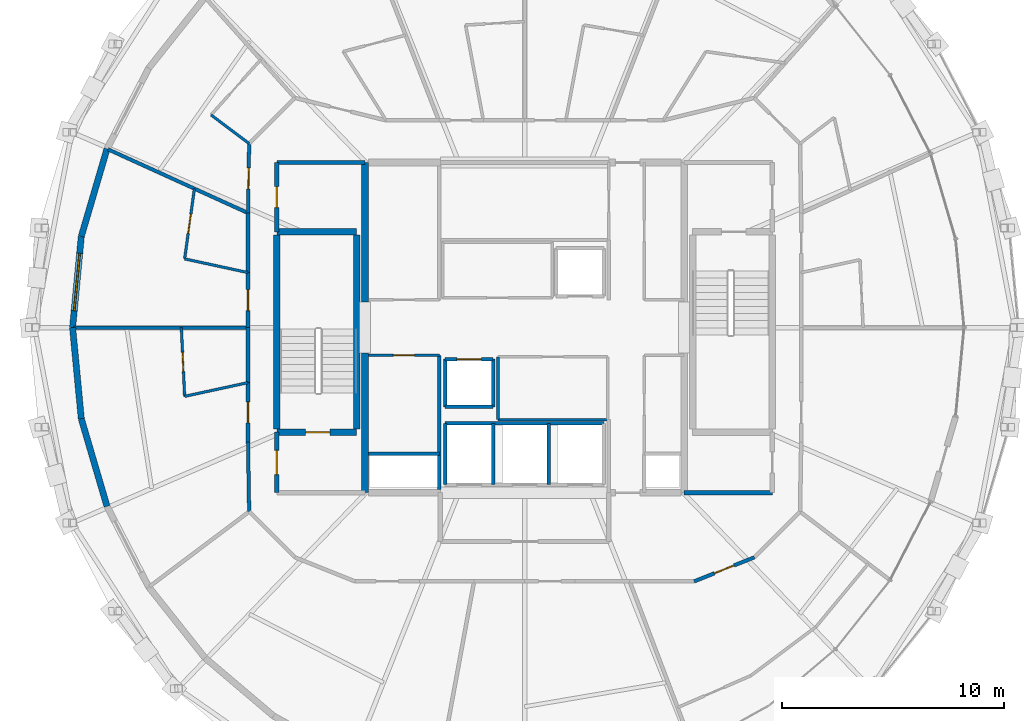
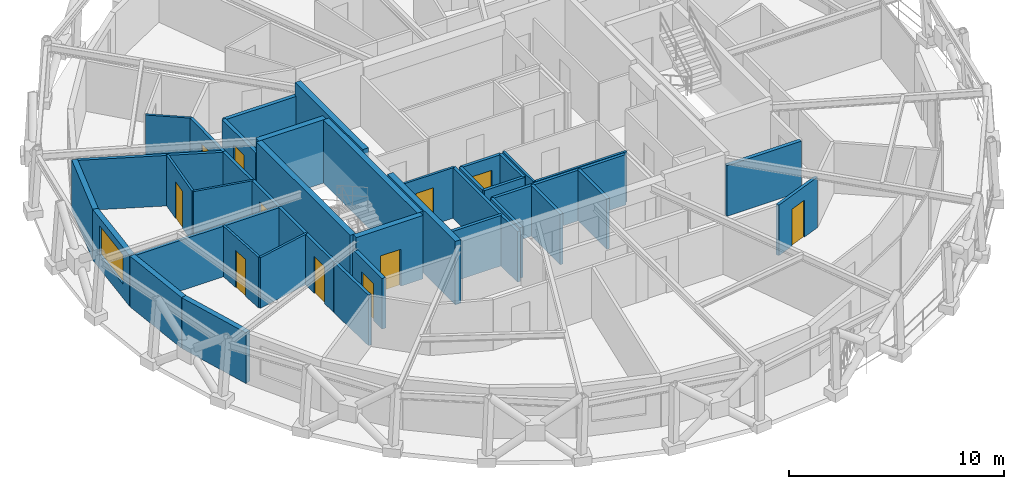
# One storey, part 11 of 15: 41 walls, 11 doors, 1 window, 12 openings.
"""IFC4 building model written with IfcOpenShell, lengths in metres."""

import ifcopenshell
import ifcopenshell.guid

model = None  # the IFC model being written
_history = None  # IfcOwnerHistory: only IFC2X3 demands one
_inside = {}  # id of a spatial element -> (the spatial element, [elements in it])
_under = {}  # id of a project, library or spatial element -> (it, [spatial elements below it])
_declared = {}  # id of a project -> (the project, [libraries it declares])
_typed = {}  # id of a type object -> (the type object, [elements of that type])
_made_of = {}  # id of a material, layer set ... -> (it, [elements and type objects made of it])


def new_model(schema):
    """Start an empty IFC model of exactly this schema.

    Asked for "IFC4X3", IfcOpenShell would pick the latest addendum, in which some entities
    have other attributes; the version numbers below select the first issue.
    IFC2X3 requires an IfcOwnerHistory on every rooted entity: one is made here for all.
    """
    global model, _history
    if schema == "IFC4X3":
        model = ifcopenshell.file(schema_version=(4, 3, 0, 0))
    else:
        model = ifcopenshell.file(schema=schema)
    _inside.clear()
    _under.clear()
    _declared.clear()
    _typed.clear()
    _made_of.clear()
    _history = None
    if model.schema == "IFC2X3":
        org = make("IfcOrganization", Name="unknown")
        user = make(
            "IfcPersonAndOrganization",
            ThePerson=make("IfcPerson", FamilyName="unknown"),
            TheOrganization=org,
        )
        app = make(
            "IfcApplication",
            ApplicationDeveloper=org,
            Version="unknown",
            ApplicationFullName="unknown",
            ApplicationIdentifier="unknown",
        )
        _history = make(
            "IfcOwnerHistory",
            OwningUser=user,
            OwningApplication=app,
            ChangeAction="ADDED",
            CreationDate=0,
        )
    return model


def make(cls, **values):
    """One entity of the class cls with the attributes given. An attribute that is None is left unset."""
    return model.create_entity(
        cls, **{name: value for name, value in values.items() if value is not None}
    )


def rooted(cls, **values):
    """An entity with a GlobalId (a new one), such as an element, a storey or a relation."""
    return make(cls, GlobalId=ifcopenshell.guid.new(), OwnerHistory=_history, **values)


def si_unit(unit_type, name, prefix=None):
    """IfcSIUnit, for example si_unit("LENGTHUNIT", "METRE", prefix="MILLI")."""
    return make("IfcSIUnit", UnitType=unit_type, Prefix=prefix, Name=name)


def assignment(units):
    """IfcUnitAssignment: the units of a project."""
    return None if units is None else make("IfcUnitAssignment", Units=units)


def point(xyz):
    """IfcCartesianPoint."""
    return None if xyz is None else make("IfcCartesianPoint", Coordinates=xyz)


def direction(xyz):
    """IfcDirection."""
    return None if xyz is None else make("IfcDirection", DirectionRatios=xyz)


def frame(location, z_axis=None, x_axis=None):
    """IfcAxis2Placement3D, a coordinate frame: its origin and axes. An axis left out is left unset."""
    return make(
        "IfcAxis2Placement3D",
        Location=point(location),
        Axis=direction(z_axis),
        RefDirection=direction(x_axis),
    )


def frame_2d(location, x_axis=None):
    """IfcAxis2Placement2D, a coordinate frame in the plane: its origin and x axis."""
    return make(
        "IfcAxis2Placement2D", Location=point(location), RefDirection=direction(x_axis)
    )


def origin():
    """The frame at (0, 0, 0) with its axes left unset."""
    return frame((0.0, 0.0, 0.0))


def place(relative_to, where):
    """IfcLocalPlacement: puts the frame where relative to a parent placement (None: the world)."""
    return make(
        "IfcLocalPlacement", PlacementRelTo=relative_to, RelativePlacement=where
    )


def context(
    kind, dimensions, precision=None, world=None, true_north=None, identifier=None
):
    """IfcGeometricRepresentationContext, for example the 3D "Model" context."""
    return make(
        "IfcGeometricRepresentationContext",
        ContextIdentifier=identifier,
        ContextType=kind,
        CoordinateSpaceDimension=dimensions,
        Precision=precision,
        WorldCoordinateSystem=world,
        TrueNorth=true_north,
    )


def subcontext(parent, identifier, kind, view, scale=None):
    """IfcGeometricRepresentationSubContext, for example "Body" below "Model"."""
    return make(
        "IfcGeometricRepresentationSubContext",
        ContextIdentifier=identifier,
        ContextType=kind,
        ParentContext=parent,
        TargetScale=scale,
        TargetView=view,
    )


def project(units=None, contexts=None):
    """IfcProject with its units and contexts."""
    return rooted(
        "IfcProject",
        Name="project",
        RepresentationContexts=contexts,
        UnitsInContext=assignment(units),
    )


def spatial(cls, under=None, at=None, **own):
    """A site, building, storey or space (cls), placed at a placement, below another one or the project."""
    s = rooted(cls, ObjectPlacement=at, **own)
    if under is not None:
        _under.setdefault(under.id(), (under, []))[1].append(s)
    return s


def profile(cls, at=None, kind="AREA", **sizes):
    """A parametric profile (cls). Its sizes go by their IFC names, for example OverallWidth=200.0."""
    return make(cls, ProfileType=kind, Position=at, **sizes)


def rectangle(**sizes):
    """IfcRectangleProfileDef."""
    return profile("IfcRectangleProfileDef", **sizes)


def extrude(swept, where, along, depth):
    """IfcExtrudedAreaSolid: the profile swept, set in the frame where, extruded along a direction by depth."""
    return make(
        "IfcExtrudedAreaSolid",
        SweptArea=swept,
        Position=where,
        ExtrudedDirection=direction(along),
        Depth=depth,
    )


def shape(context_of_items, identifier, shape_type, items):
    """IfcShapeRepresentation: the items that make up one representation, for example the "Body"."""
    return make(
        "IfcShapeRepresentation",
        ContextOfItems=context_of_items,
        RepresentationIdentifier=identifier,
        RepresentationType=shape_type,
        Items=items,
    )


def material(Name=None, Category=None):
    """IfcMaterial."""
    return make("IfcMaterial", Name=Name, Category=Category)


def layer(
    of_material, thickness, ventilated=None, Name=None, Category=None, Priority=None
):
    """IfcMaterialLayer: one layer of a wall or slab, of a material (None: an air gap)."""
    return make(
        "IfcMaterialLayer",
        Material=of_material,
        LayerThickness=thickness,
        IsVentilated=ventilated,
        Name=Name,
        Category=Category,
        Priority=Priority,
    )


def layer_set(layers, Name=None):
    """IfcMaterialLayerSet."""
    return make("IfcMaterialLayerSet", MaterialLayers=layers, LayerSetName=Name)


def made_of(thing, what):
    """Note that an element or type object is made of a material, layer set ...; save() writes the relation."""
    if what is not None:
        _made_of.setdefault(what.id(), (what, []))[1].append(thing)
    return thing


def type_object(cls, material=None, **own):
    """A type object (cls), such as IfcWallType, which elements share."""
    return made_of(rooted(cls, **own), material)


def element(
    cls,
    number,
    at=None,
    inside=None,
    cuts=None,
    type_object=None,
    material=None,
    context=None,
    identifier="Body",
    shape_type=None,
    held_by="IfcProductDefinitionShape",
    body=None,
    shapes=None,
    **own,
):
    """One element of the class cls, such as IfcWall. Its Tag is "e" and its number.

    at: its placement. inside: the storey or other place that contains it. cuts: it is an
    opening in that element (IfcRelVoidsElement). A single representation is given by context,
    identifier, shape_type and body (its items); several are given by shapes. held_by: the class
    of the entity that holds the representations. save() writes the other relations.
    """
    e = rooted(cls, Tag="e%d" % number, ObjectPlacement=at, **own)
    if body is not None:
        shapes = [shape(context, identifier, shape_type, body)]
    if shapes is not None:
        e.Representation = make(held_by, Representations=shapes)
    if inside is not None:
        _inside.setdefault(inside.id(), (inside, []))[1].append(e)
    if cuts is not None:
        rooted(
            "IfcRelVoidsElement", RelatingBuildingElement=cuts, RelatedOpeningElement=e
        )
    if type_object is not None:
        _typed.setdefault(type_object.id(), (type_object, []))[1].append(e)
    return made_of(e, material)


def fill(opening, filler):
    """IfcRelFillsElement: the door or window that sits in an opening."""
    return rooted(
        "IfcRelFillsElement",
        RelatingOpeningElement=opening,
        RelatedBuildingElement=filler,
    )


def aggregate(whole, parts):
    """IfcRelAggregates: a whole, such as a stair, and the parts it consists of."""
    return rooted("IfcRelAggregates", RelatingObject=whole, RelatedObjects=parts)


def save(model, path):
    """Write the relations noted so far, then the file.

    IfcRelAggregates (storeys below a building ...), IfcRelContainedInSpatialStructure (elements
    in a storey), IfcRelDefinesByType, IfcRelAssociatesMaterial and IfcRelDeclares: one each for
    every whole, place, type object, material and project.
    """
    for whole, parts in _under.values():
        aggregate(whole, parts)
    for where, things in _inside.values():
        rooted(
            "IfcRelContainedInSpatialStructure",
            RelatedElements=things,
            RelatingStructure=where,
        )
    for kind, things in _typed.values():
        rooted("IfcRelDefinesByType", RelatedObjects=things, RelatingType=kind)
    for what, things in _made_of.values():
        rooted("IfcRelAssociatesMaterial", RelatedObjects=things, RelatingMaterial=what)
    for by, libraries in _declared.values():
        rooted("IfcRelDeclares", RelatingContext=by, RelatedDefinitions=libraries)
    model.write(path)


model = new_model("IFC4")

# Units and contexts
model_context = context("Model", 3, precision=1e-05, world=origin(), true_north=direction((0.0, 1.0)))
body_context = subcontext(model_context, "Body", "Model", "MODEL_VIEW")
ifc_project = project(units=[si_unit("LENGTHUNIT", "METRE"), si_unit("AREAUNIT", "SQUARE_METRE"), si_unit("VOLUMEUNIT", "CUBIC_METRE"), si_unit("PLANEANGLEUNIT", "RADIAN"), si_unit("MASSUNIT", "GRAM", prefix="KILO")], contexts=[model_context])

# Site, building, storey
site_placement = place(None, origin())
site = spatial("IfcSite", under=ifc_project, at=site_placement, CompositionType="ELEMENT")
building_placement = place(site_placement, origin())
building = spatial("IfcBuilding", under=site, at=building_placement, Name="Veldorina Hangang Commons", CompositionType="ELEMENT")
storey_placement = place(building_placement, frame((0.0, 0.0, 258.0)))
storey = spatial("IfcBuildingStorey", under=building, at=storey_placement, Name="L67", CompositionType="ELEMENT", Elevation=258.0)

# Walls
ifc_material_1 = material(Name="Concrete C50/60", Category="concrete")
ifc_layer_1 = layer(ifc_material_1, 0.300048828125)
ifc_layer_set_1 = layer_set([ifc_layer_1], Name="Concrete C50/60")
wall_type_1 = type_object("IfcWallType", Name="CW-RC300-C50", PredefinedType="SHEAR", material=ifc_layer_set_1)
for number, where, z_axis, x_axis, name in (
    (1, (24.800048828125, 16.550048828125, 0.0), (0.0, 0.0, 1.0), (0.0, 1.0, 0.0), "L67 W south core shear wall"),
    (2, (24.800048828125, 25.14990234375, 0.0), (0.0, 0.0, 1.0), (0.0, 1.0, 0.0), "L67 W north core shear wall"),
):
    element("IfcWall", number, at=place(storey_placement, frame(where, z_axis=z_axis, x_axis=x_axis)), inside=storey, type_object=wall_type_1, Name=name, PredefinedType="SHEAR", context=body_context, shape_type="SweptSolid", body=[
        extrude(rectangle(XDim=6.300048828125, YDim=0.300048828125, at=frame_2d((3.14990234375, 0.0))), origin(), (0.0, 0.0, 1.0), 3.60009765625),
    ])
ifc_material_2 = material(Name="Stone Roman Travertine", Category="masonry")
ifc_layer_2 = layer(ifc_material_2, 0.280029296875)
ifc_layer_set_2 = layer_set([ifc_layer_2], Name="Stone Roman Travertine")
wall_type_2 = type_object("IfcWallType", Name="EW-TRAV-280", PredefinedType="STANDARD", material=ifc_layer_set_2)
wall_1_placement = place(storey_placement, frame((13.159423828125, 32.064453125, 0.0), z_axis=(0.0, 0.0, 1.0), x_axis=(-0.281640155417, -0.959520100288, 0.0)))
element("IfcWall", 3, at=wall_1_placement, inside=storey, type_object=wall_type_2, Name="L67 travertine facade wall 14", PredefinedType="STANDARD", context=body_context, shape_type="SweptSolid", body=[
    extrude(rectangle(XDim=4.1201171875, YDim=0.280029296875, at=frame_2d((2.06005859375, 0.0))), origin(), (0.0, 0.0, 1.0), 2.8798828125),
])

# Wall, opening, window
wall_2_placement = place(storey_placement, frame((11.9990234375, 28.111083984375, 0.0), z_axis=(0.0, 0.0, 1.0), x_axis=(-0.09488441801, -0.995488295872, 0.0)))
wall_2 = element("IfcWall", 4, at=wall_2_placement, inside=storey, type_object=wall_type_2, Name="L67 travertine facade wall 15", PredefinedType="STANDARD", context=body_context, shape_type="SweptSolid", body=[
    extrude(rectangle(XDim=4.129638671875, YDim=0.280029296875, at=frame_2d((2.06494140625, 0.0))), origin(), (0.0, 0.0, 1.0), 2.8798828125),
])
opening_1_placement = place(wall_2_placement, frame((0.764892578125, 0.0, 0.800048828125)))
opening_1 = element("IfcOpeningElement", 5, at=opening_1_placement, cuts=wall_2, Name="Opening W-02", PredefinedType="OPENING", context=body_context, shape_type="SweptSolid", body=[
    extrude(rectangle(XDim=2.60009765625, YDim=1.64990234375, at=frame_2d((1.300048828125, 0.824951171875))), frame((0.0, 0.14990234375, 0.0), z_axis=(0.0, -1.0, 0.0), x_axis=(1.0, 0.0, 0.0)), (0.0, 0.0, 1.0), 0.300048828125),
])
ifc_material_3 = material(Name="Glass Low-E Triple IGU", Category="glass")
window_type = type_object("IfcWindowType", Name="WIN-TWR-2600", PartitioningType="SINGLE_PANEL", PredefinedType="WINDOW", material=ifc_material_3)
window_placement = place(opening_1_placement, origin())
window = element("IfcWindow", 6, at=window_placement, inside=storey, type_object=window_type, Name="L67 facade window 15", OverallHeight=1.64990234375, OverallWidth=2.60009765625, PartitioningType="SINGLE_PANEL", PredefinedType="WINDOW", context=body_context, shape_type="SweptSolid", body=[
    extrude(rectangle(XDim=2.60009765625, YDim=1.64990234375, at=frame_2d((1.300048828125, 0.824951171875))), frame((0.0, 0.030029296875, 0.0), z_axis=(0.0, -1.0, 0.0), x_axis=(1.0, 0.0, 0.0)), (0.0, 0.0, 1.0), 0.06005859375),
])
fill(opening_1, window)

# Walls
wall_3_placement = place(storey_placement, frame((11.607177734375, 24.0, 0.0), z_axis=(0.0, 0.0, 1.0), x_axis=(0.09488441801, -0.995488295872, 0.0)))
element("IfcWall", 7, at=wall_3_placement, inside=storey, type_object=wall_type_2, Name="L67 travertine facade wall 16", PredefinedType="STANDARD", context=body_context, shape_type="SweptSolid", body=[
    extrude(rectangle(XDim=4.129638671875, YDim=0.280029296875, at=frame_2d((2.06494140625, 0.0))), origin(), (0.0, 0.0, 1.0), 2.8798828125),
])
wall_4_placement = place(storey_placement, frame((11.9990234375, 19.888916015625, 0.0), z_axis=(0.0, 0.0, 1.0), x_axis=(0.281640155417, -0.959520100288, 0.0)))
element("IfcWall", 8, at=wall_4_placement, inside=storey, type_object=wall_type_2, Name="L67 travertine facade wall 17", PredefinedType="STANDARD", context=body_context, shape_type="SweptSolid", body=[
    extrude(rectangle(XDim=4.1201171875, YDim=0.280029296875, at=frame_2d((2.06005859375, 0.0))), origin(), (0.0, 0.0, 1.0), 2.8798828125),
])
ifc_layer_3 = layer(ifc_material_1, 0.300048828125)
ifc_layer_set_3 = layer_set([ifc_layer_3], Name="Concrete C50/60")
wall_type_3 = type_object("IfcWallType", Name="SW-STAIR-300", PredefinedType="SHEAR", material=ifc_layer_set_3)
for number, where, z_axis, x_axis, name in (
    (9, (20.820068359375, 19.429931640625, 0.0), (0.0, 0.0, 1.0), (0.0, 1.0, 0.0), "L67 ST1 outer stair shear wall"),
    (10, (24.419921875, 19.429931640625, 0.0), (0.0, 0.0, 1.0), (0.0, 1.0, 0.0), "L67 ST1 inner stair shear wall"),
):
    element("IfcWall", number, at=place(storey_placement, frame(where, z_axis=z_axis, x_axis=x_axis)), inside=storey, type_object=wall_type_3, Name=name, PredefinedType="SHEAR", context=body_context, shape_type="SweptSolid", body=[
        extrude(rectangle(XDim=8.739990234375, YDim=0.300048828125, at=frame_2d((4.3701171875, 0.0))), origin(), (0.0, 0.0, 1.0), 3.60009765625),
    ])

# Wall, opening, door
wall_5_placement = place(storey_placement, frame((20.820068359375, 19.280029296875, 0.0), z_axis=(0.0, 0.0, 1.0), x_axis=(1.0, 0.0, 0.0)))
wall_5 = element("IfcWall", 11, at=wall_5_placement, inside=storey, type_object=wall_type_3, Name="L67 ST1 south stair shear wall", PredefinedType="SHEAR", context=body_context, shape_type="SweptSolid", body=[
    extrude(rectangle(XDim=3.599853515625, YDim=0.300048828125, at=frame_2d((1.7998046875, 0.0))), origin(), (0.0, 0.0, 1.0), 3.60009765625),
])
opening_2_placement = place(wall_5_placement, frame((1.300048828125, 0.0, 0.0)))
opening_2 = element("IfcOpeningElement", 12, at=opening_2_placement, cuts=wall_5, Name="Opening D-08", PredefinedType="OPENING", context=body_context, shape_type="SweptSolid", body=[
    extrude(rectangle(XDim=1.10009765625, YDim=2.10009765625, at=frame_2d((0.550048828125, 1.050048828125))), frame((0.0, 0.16015625, 0.0), z_axis=(0.0, -1.0, 0.0), x_axis=(1.0, 0.0, 0.0)), (0.0, 0.0, 1.0), 0.320068359375),
])
ifc_material_4 = material(Name="Steel Fire-Rated Smoke Seal", Category="steel")
door_type_1 = type_object("IfcDoorType", Name="DR-FIRE-1100", OperationType="SINGLE_SWING_RIGHT", PredefinedType="DOOR", material=ifc_material_4)
door_1_placement = place(opening_2_placement, origin())
door_1 = element("IfcDoor", 13, at=door_1_placement, inside=storey, type_object=door_type_1, Name="L67 Special Escape Stair ST-1 door", OperationType="SINGLE_SWING_LEFT", OverallHeight=2.10009765625, OverallWidth=1.10009765625, PredefinedType="DOOR", context=body_context, shape_type="SweptSolid", body=[
    extrude(rectangle(XDim=1.10009765625, YDim=2.10009765625, at=frame_2d((0.550048828125, 1.050048828125))), frame((0.0, 0.02490234375, 0.0), z_axis=(0.0, -1.0, 0.0), x_axis=(1.0, 0.0, 0.0)), (0.0, 0.0, 1.0), 0.050048828125),
])
fill(opening_2, door_1)

# Wall
wall_6_placement = place(storey_placement, frame((20.820068359375, 28.320068359375, 0.0), z_axis=(0.0, 0.0, 1.0), x_axis=(1.0, 0.0, 0.0)))
element("IfcWall", 14, at=wall_6_placement, inside=storey, type_object=wall_type_3, Name="L67 ST1 north stair shear wall", PredefinedType="SHEAR", context=body_context, shape_type="SweptSolid", body=[
    extrude(rectangle(XDim=3.599853515625, YDim=0.300048828125, at=frame_2d((1.7998046875, 0.0))), origin(), (0.0, 0.0, 1.0), 3.60009765625),
])

# Wall, opening, door
ifc_material_5 = material(Name="Gypsum Fire-Rated Twin Stud Wall", Category="gypsum")
ifc_layer_4 = layer(ifc_material_5, 0.159912109375)
ifc_layer_set_4 = layer_set([ifc_layer_4], Name="Gypsum Fire-Rated Twin Stud Wall")
wall_type_4 = type_object("IfcWallType", Name="WL-FIRE-160", PredefinedType="SOLIDWALL", material=ifc_layer_set_4)
wall_7_placement = place(storey_placement, frame((28.419921875, 22.580078125, 0.0), z_axis=(0.0, 0.0, 1.0), x_axis=(1.0, 0.0, 0.0)))
wall_7 = element("IfcWall", 15, at=wall_7_placement, inside=storey, type_object=wall_type_4, Name="L67 Shuttle-high front shaft wall 019", PredefinedType="SOLIDWALL", context=body_context, shape_type="SweptSolid", body=[
    extrude(rectangle(XDim=2.16015625, YDim=0.159912109375, at=frame_2d((1.080078125, 0.0))), origin(), (0.0, 0.0, 1.0), 2.8701171875),
])
opening_3_placement = place(wall_7_placement, frame((0.530029296875, 0.0, 0.0)))
opening_3 = element("IfcOpeningElement", 16, at=opening_3_placement, cuts=wall_7, Name="Opening LD-01", PredefinedType="OPENING", context=body_context, shape_type="SweptSolid", body=[
    extrude(rectangle(XDim=1.10009765625, YDim=2.14990234375, at=frame_2d((0.550048828125, 1.074951171875))), frame((0.0, 0.08984375, 0.0), z_axis=(0.0, -1.0, 0.0), x_axis=(1.0, 0.0, 0.0)), (0.0, 0.0, 1.0), 0.179931640625),
])
ifc_material_6 = material(Name="Stainless Steel Brushed Lift Door", Category="steel")
door_type_2 = type_object("IfcDoorType", Name="DR-LIFT-1100", OperationType="SLIDING_TO_LEFT", PredefinedType="DOOR", material=ifc_material_6)
door_2_placement = place(opening_3_placement, origin())
door_2 = element("IfcDoor", 17, at=door_2_placement, inside=storey, type_object=door_type_2, Name="L67 Lift PL-H2 landing door 007", OperationType="SLIDING_TO_LEFT", OverallHeight=2.14990234375, OverallWidth=1.10009765625, PredefinedType="DOOR", context=body_context, shape_type="SweptSolid", body=[
    extrude(rectangle(XDim=1.10009765625, YDim=2.14990234375, at=frame_2d((0.550048828125, 1.074951171875))), frame((0.0, 0.02490234375, 0.0), z_axis=(0.0, -1.0, 0.0), x_axis=(1.0, 0.0, 0.0)), (0.0, 0.0, 1.0), 0.050048828125),
])
fill(opening_3, door_2)

# Walls
for number, where, z_axis, x_axis, name in (
    (18, (28.419921875, 20.419921875, 0.0), (0.0, 0.0, 1.0), (1.0, 0.0, 0.0), "L67 Shuttle-high rear shaft wall 020"),
    (19, (28.419921875, 20.419921875, 0.0), (0.0, 0.0, 1.0), (0.0, 1.0, 0.0), "L67 PL-H2 west shaft wall 021"),
    (20, (30.580078125, 20.419921875, 0.0), (0.0, 0.0, 1.0), (0.0, 1.0, 0.0), "L67 PL-H2 east shaft wall 022"),
):
    element("IfcWall", number, at=place(storey_placement, frame(where, z_axis=z_axis, x_axis=x_axis)), inside=storey, type_object=wall_type_4, Name=name, PredefinedType="SOLIDWALL", context=body_context, shape_type="SweptSolid", body=[
        extrude(rectangle(XDim=2.16015625, YDim=0.159912109375, at=frame_2d((1.080078125, 0.0))), origin(), (0.0, 0.0, 1.0), 2.8701171875),
    ])
wall_8_placement = place(storey_placement, frame((28.419921875, 19.679931640625, 0.0), z_axis=(0.0, 0.0, 1.0), x_axis=(1.0, 0.0, 0.0)))
element("IfcWall", 21, at=wall_8_placement, inside=storey, type_object=wall_type_4, Name="L67 Emergency rear shaft wall 024", PredefinedType="SOLIDWALL", context=body_context, shape_type="SweptSolid", body=[
    extrude(rectangle(XDim=7.16015625, YDim=0.159912109375, at=frame_2d((3.580078125, 0.0))), origin(), (0.0, 0.0, 1.0), 2.8701171875),
])
for number, where, z_axis, x_axis, name in (
    (22, (28.419921875, 16.919921875, 0.0), (0.0, 0.0, 1.0), (0.0, 1.0, 0.0), "L67 FFL-1 west shaft wall 025"),
    (23, (30.580078125, 16.919921875, 0.0), (0.0, 0.0, 1.0), (0.0, 1.0, 0.0), "L67 FFL-1 east shaft wall 026"),
    (24, (33.080078125, 16.919921875, 0.0), (0.0, 0.0, 1.0), (0.0, 1.0, 0.0), "L67 FFL-2 east shaft wall 027"),
):
    element("IfcWall", number, at=place(storey_placement, frame(where, z_axis=z_axis, x_axis=x_axis)), inside=storey, type_object=wall_type_4, Name=name, PredefinedType="SOLIDWALL", context=body_context, shape_type="SweptSolid", body=[
        extrude(rectangle(XDim=2.760009765625, YDim=0.159912109375, at=frame_2d((1.3798828125, 0.0))), origin(), (0.0, 0.0, 1.0), 2.8701171875),
    ])
wall_9_placement = place(storey_placement, frame((24.949951171875, 18.300048828125, 0.0), z_axis=(0.0, 0.0, 1.0), x_axis=(1.0, 0.0, 0.0)))
element("IfcWall", 25, at=wall_9_placement, inside=storey, type_object=wall_type_4, Name="L67 Electrical riser wall 040", PredefinedType="SOLIDWALL", context=body_context, shape_type="SweptSolid", body=[
    extrude(rectangle(XDim=3.199951171875, YDim=0.159912109375, at=frame_2d((1.60009765625, 0.0))), origin(), (0.0, 0.0, 1.0), 2.8701171875),
])
wall_10_placement = place(storey_placement, frame((28.14990234375, 16.699951171875, 0.0), z_axis=(0.0, 0.0, 1.0), x_axis=(0.0, 1.0, 0.0)))
element("IfcWall", 26, at=wall_10_placement, inside=storey, type_object=wall_type_4, Name="L67 SW core inner wall 041", PredefinedType="SOLIDWALL", context=body_context, shape_type="SweptSolid", body=[
    extrude(rectangle(XDim=6.050048828125, YDim=0.159912109375, at=frame_2d((3.02490234375, 0.0))), origin(), (0.0, 0.0, 1.0), 2.8701171875),
])

# Wall, opening, door
wall_11_placement = place(storey_placement, frame((19.5732421875, 32.30322265625, 0.0), z_axis=(0.0, 0.0, 1.0), x_axis=(-0.016981035134, -0.999855811828, 0.0)))
wall_11 = element("IfcWall", 27, at=wall_11_placement, inside=storey, type_object=wall_type_4, Name="L67 Compact collar outer wall 13 063", PredefinedType="SOLIDWALL", context=body_context, shape_type="SweptSolid", body=[
    extrude(rectangle(XDim=3.13427734375, YDim=0.159912109375, at=frame_2d((1.567138671875, 0.0))), origin(), (0.0, 0.0, 1.0), 2.8701171875),
])
opening_4_placement = place(wall_11_placement, frame((1.09228515625, 0.0, 0.0)))
opening_4 = element("IfcOpeningElement", 28, at=opening_4_placement, cuts=wall_11, Name="Opening D-03", PredefinedType="OPENING", context=body_context, shape_type="SweptSolid", body=[
    extrude(rectangle(XDim=0.949951171875, YDim=2.10009765625, at=frame_2d((0.47509765625, 1.050048828125))), frame((0.0, 0.08984375, 0.0), z_axis=(0.0, -1.0, 0.0), x_axis=(1.0, 0.0, 0.0)), (0.0, 0.0, 1.0), 0.179931640625),
])
ifc_material_7 = material(Name="Timber Fire-Rated Entrance Core", Category="wood")
door_type_3 = type_object("IfcDoorType", Name="DR-UNIT-950", OperationType="SINGLE_SWING_RIGHT", PredefinedType="DOOR", material=ifc_material_7)
door_3_placement = place(opening_4_placement, origin())
door_3 = element("IfcDoor", 29, at=door_3_placement, inside=storey, type_object=door_type_3, Name="L67 Studio 8 entrance door 032", OperationType="SINGLE_SWING_RIGHT", OverallHeight=2.10009765625, OverallWidth=0.949951171875, PredefinedType="DOOR", context=body_context, shape_type="SweptSolid", body=[
    extrude(rectangle(XDim=0.949951171875, YDim=2.10009765625, at=frame_2d((0.47509765625, 1.050048828125))), frame((0.0, 0.02490234375, 0.0), z_axis=(0.0, -1.0, 0.0), x_axis=(1.0, 0.0, 0.0)), (0.0, 0.0, 1.0), 0.050048828125),
])
fill(opening_4, door_3)

# Wall
wall_12_placement = place(storey_placement, frame((19.52001953125, 29.16943359375, 0.0), z_axis=(0.0, 0.0, 1.0), x_axis=(0.0, -1.0, 0.0)))
element("IfcWall", 30, at=wall_12_placement, inside=storey, type_object=wall_type_4, Name="L67 Compact collar outer wall 14 064", PredefinedType="SOLIDWALL", context=body_context, shape_type="SweptSolid", body=[
    extrude(rectangle(XDim=2.68701171875, YDim=0.159912109375, at=frame_2d((1.343505859375, 0.0))), origin(), (0.0, 0.0, 1.0), 2.8701171875),
])

# Wall, opening, door
wall_13_placement = place(storey_placement, frame((19.52001953125, 26.482421875, 0.0), z_axis=(0.0, 0.0, 1.0), x_axis=(0.0, -1.0, 0.0)))
wall_13 = element("IfcWall", 31, at=wall_13_placement, inside=storey, type_object=wall_type_4, Name="L67 Compact collar outer wall 15 065", PredefinedType="SOLIDWALL", context=body_context, shape_type="SweptSolid", body=[
    extrude(rectangle(XDim=2.482421875, YDim=0.159912109375, at=frame_2d((1.2412109375, 0.0))), origin(), (0.0, 0.0, 1.0), 2.8701171875),
])
opening_5_placement = place(wall_13_placement, frame((0.76611328125, 0.0, 0.0)))
opening_5 = element("IfcOpeningElement", 32, at=opening_5_placement, cuts=wall_13, Name="Opening D-03", PredefinedType="OPENING", context=body_context, shape_type="SweptSolid", body=[
    extrude(rectangle(XDim=0.949951171875, YDim=2.10009765625, at=frame_2d((0.47509765625, 1.050048828125))), frame((0.0, 0.08984375, 0.0), z_axis=(0.0, -1.0, 0.0), x_axis=(1.0, 0.0, 0.0)), (0.0, 0.0, 1.0), 0.179931640625),
])
door_4_placement = place(opening_5_placement, origin())
door_4 = element("IfcDoor", 33, at=door_4_placement, inside=storey, type_object=door_type_3, Name="L67 Studio 9 entrance door 034", OperationType="SINGLE_SWING_RIGHT", OverallHeight=2.10009765625, OverallWidth=0.949951171875, PredefinedType="DOOR", context=body_context, shape_type="SweptSolid", body=[
    extrude(rectangle(XDim=0.949951171875, YDim=2.10009765625, at=frame_2d((0.47509765625, 1.050048828125))), frame((0.0, 0.02490234375, 0.0), z_axis=(0.0, -1.0, 0.0), x_axis=(1.0, 0.0, 0.0)), (0.0, 0.0, 1.0), 0.050048828125),
])
fill(opening_5, door_4)

# Wall
wall_14_placement = place(storey_placement, frame((19.52001953125, 24.0, 0.0), z_axis=(0.0, 0.0, 1.0), x_axis=(0.0, -1.0, 0.0)))
element("IfcWall", 34, at=wall_14_placement, inside=storey, type_object=wall_type_4, Name="L67 Compact collar outer wall 16 066", PredefinedType="SOLIDWALL", context=body_context, shape_type="SweptSolid", body=[
    extrude(rectangle(XDim=2.482421875, YDim=0.159912109375, at=frame_2d((1.2412109375, 0.0))), origin(), (0.0, 0.0, 1.0), 2.8701171875),
])

# Wall, opening, door
wall_15_placement = place(storey_placement, frame((19.52001953125, 21.517578125, 0.0), z_axis=(0.0, 0.0, 1.0), x_axis=(0.0, -1.0, 0.0)))
wall_15 = element("IfcWall", 35, at=wall_15_placement, inside=storey, type_object=wall_type_4, Name="L67 Compact collar outer wall 17 067", PredefinedType="SOLIDWALL", context=body_context, shape_type="SweptSolid", body=[
    extrude(rectangle(XDim=2.68701171875, YDim=0.159912109375, at=frame_2d((1.343505859375, 0.0))), origin(), (0.0, 0.0, 1.0), 2.8701171875),
])
opening_6_placement = place(wall_15_placement, frame((0.868408203125, 0.0, 0.0)))
opening_6 = element("IfcOpeningElement", 36, at=opening_6_placement, cuts=wall_15, Name="Opening D-03", PredefinedType="OPENING", context=body_context, shape_type="SweptSolid", body=[
    extrude(rectangle(XDim=0.949951171875, YDim=2.10009765625, at=frame_2d((0.47509765625, 1.050048828125))), frame((0.0, 0.08984375, 0.0), z_axis=(0.0, -1.0, 0.0), x_axis=(1.0, 0.0, 0.0)), (0.0, 0.0, 1.0), 0.179931640625),
])
door_5_placement = place(opening_6_placement, origin())
door_5 = element("IfcDoor", 37, at=door_5_placement, inside=storey, type_object=door_type_3, Name="L67 Studio 10 entrance door 036", OperationType="SINGLE_SWING_RIGHT", OverallHeight=2.10009765625, OverallWidth=0.949951171875, PredefinedType="DOOR", context=body_context, shape_type="SweptSolid", body=[
    extrude(rectangle(XDim=0.949951171875, YDim=2.10009765625, at=frame_2d((0.47509765625, 1.050048828125))), frame((0.0, 0.02490234375, 0.0), z_axis=(0.0, -1.0, 0.0), x_axis=(1.0, 0.0, 0.0)), (0.0, 0.0, 1.0), 0.050048828125),
])
fill(opening_6, door_5)

# Wall
wall_16_placement = place(storey_placement, frame((19.52001953125, 18.83056640625, 0.0), z_axis=(0.0, 0.0, 1.0), x_axis=(0.016981035134, -0.999855811828, 0.0)))
element("IfcWall", 38, at=wall_16_placement, inside=storey, type_object=wall_type_4, Name="L67 Compact collar outer wall 18 068", PredefinedType="SOLIDWALL", context=body_context, shape_type="SweptSolid", body=[
    extrude(rectangle(XDim=3.13427734375, YDim=0.159912109375, at=frame_2d((1.567138671875, 0.0))), origin(), (0.0, 0.0, 1.0), 2.8701171875),
])

# Wall, opening, door
wall_17_placement = place(storey_placement, frame((39.650634765625, 12.550048828125, 0.0), z_axis=(0.0, 0.0, 1.0), x_axis=(0.92856882165, 0.371160266542, 0.0)))
wall_17 = element("IfcWall", 39, at=wall_17_placement, inside=storey, type_object=wall_type_4, Name="L67 Compact collar outer wall 27 077", PredefinedType="SOLIDWALL", context=body_context, shape_type="SweptSolid", body=[
    extrude(rectangle(XDim=2.923095703125, YDim=0.159912109375, at=frame_2d((1.46142578125, 0.0))), origin(), (0.0, 0.0, 1.0), 2.8701171875),
])
opening_7_placement = place(wall_17_placement, frame((0.986572265625, 0.0, 0.0)))
opening_7 = element("IfcOpeningElement", 40, at=opening_7_placement, cuts=wall_17, Name="Opening D-02", PredefinedType="OPENING", context=body_context, shape_type="SweptSolid", body=[
    extrude(rectangle(XDim=0.949951171875, YDim=2.10009765625, at=frame_2d((0.47509765625, 1.050048828125))), frame((0.0, 0.08984375, 0.0), z_axis=(0.0, -1.0, 0.0), x_axis=(1.0, 0.0, 0.0)), (0.0, 0.0, 1.0), 0.179931640625),
])
ifc_material_8 = material(Name="Timber Solid Core Acoustic", Category="wood")
door_type_4 = type_object("IfcDoorType", Name="DR-INT-950", OperationType="SINGLE_SWING_LEFT", PredefinedType="DOOR", material=ifc_material_8)
door_6_placement = place(opening_7_placement, origin())
door_6 = element("IfcDoor", 41, at=door_6_placement, inside=storey, type_object=door_type_4, Name="L67 Linen drying store door 039", OperationType="SINGLE_SWING_LEFT", OverallHeight=2.10009765625, OverallWidth=0.949951171875, PredefinedType="DOOR", context=body_context, shape_type="SweptSolid", body=[
    extrude(rectangle(XDim=0.949951171875, YDim=2.10009765625, at=frame_2d((0.47509765625, 1.050048828125))), frame((0.0, 0.02490234375, 0.0), z_axis=(0.0, -1.0, 0.0), x_axis=(1.0, 0.0, 0.0)), (0.0, 0.0, 1.0), 0.050048828125),
])
fill(opening_7, door_6)

# Walls
wall_18_placement = place(storey_placement, frame((19.52001953125, 29.16943359375, 0.0), z_axis=(0.0, 0.0, 1.0), x_axis=(-0.910157888499, 0.414261533337, 0.0)))
element("IfcWall", 42, at=wall_18_placement, inside=storey, type_object=wall_type_4, Name="L67 Unit party wall 14 104", PredefinedType="SOLIDWALL", context=body_context, shape_type="SweptSolid", body=[
    extrude(rectangle(XDim=6.938232421875, YDim=0.159912109375, at=frame_2d((3.46923828125, 0.0))), origin(), (0.0, 0.0, 1.0), 2.8701171875),
])
wall_19_placement = place(storey_placement, frame((19.52001953125, 24.0, 0.0), z_axis=(0.0, 0.0, 1.0), x_axis=(-1.0, 0.0, 0.0)))
element("IfcWall", 43, at=wall_19_placement, inside=storey, type_object=wall_type_4, Name="L67 Unit party wall 16 107", PredefinedType="SOLIDWALL", context=body_context, shape_type="SweptSolid", body=[
    extrude(rectangle(XDim=7.86279296875, YDim=0.159912109375, at=frame_2d((3.931396484375, 0.0))), origin(), (0.0, 0.0, 1.0), 2.8701171875),
])

# Wall, opening, door
ifc_material_9 = material(Name="Concrete Blockwork Fire Wall C30/37", Category="masonry")
ifc_layer_5 = layer(ifc_material_9, 0.199951171875)
ifc_layer_set_5 = layer_set([ifc_layer_5], Name="Concrete Blockwork Fire Wall C30/37")
wall_type_5 = type_object("IfcWallType", Name="WL-FIRE-200", PredefinedType="SOLIDWALL", material=ifc_layer_set_5)
wall_20_placement = place(storey_placement, frame((20.820068359375, 16.550048828125, 0.0), z_axis=(0.0, 0.0, 1.0), x_axis=(0.0, 1.0, 0.0)))
wall_20 = element("IfcWall", 44, at=wall_20_placement, inside=storey, type_object=wall_type_5, Name="L67 West vestibule outer wall 001", PredefinedType="SOLIDWALL", context=body_context, shape_type="SweptSolid", body=[
    extrude(rectangle(XDim=2.72998046875, YDim=0.199951171875, at=frame_2d((1.364990234375, 0.0))), origin(), (0.0, 0.0, 1.0), 2.8701171875),
])
opening_8_placement = place(wall_20_placement, frame((0.81494140625, 0.0, 0.0)))
opening_8 = element("IfcOpeningElement", 45, at=opening_8_placement, cuts=wall_20, Name="Opening D-08", PredefinedType="OPENING", context=body_context, shape_type="SweptSolid", body=[
    extrude(rectangle(XDim=1.10009765625, YDim=2.10009765625, at=frame_2d((0.550048828125, 1.050048828125))), frame((0.0, 0.10986328125, 0.0), z_axis=(0.0, -1.0, 0.0), x_axis=(1.0, 0.0, 0.0)), (0.0, 0.0, 1.0), 0.219970703125),
])
door_7_placement = place(opening_8_placement, origin())
door_7 = element("IfcDoor", 46, at=door_7_placement, inside=storey, type_object=door_type_1, Name="L67 West vestibule west door 001", OperationType="SINGLE_SWING_LEFT", OverallHeight=2.10009765625, OverallWidth=1.10009765625, PredefinedType="DOOR", context=body_context, shape_type="SweptSolid", body=[
    extrude(rectangle(XDim=1.10009765625, YDim=2.10009765625, at=frame_2d((0.550048828125, 1.050048828125))), frame((0.0, 0.02490234375, 0.0), z_axis=(0.0, -1.0, 0.0), x_axis=(1.0, 0.0, 0.0)), (0.0, 0.0, 1.0), 0.050048828125),
])
fill(opening_8, door_7)

wall_21_placement = place(storey_placement, frame((20.820068359375, 28.320068359375, 0.0), z_axis=(0.0, 0.0, 1.0), x_axis=(0.0, 1.0, 0.0)))
wall_21 = element("IfcWall", 47, at=wall_21_placement, inside=storey, type_object=wall_type_5, Name="L67 NW core room outer wall 005", PredefinedType="SOLIDWALL", context=body_context, shape_type="SweptSolid", body=[
    extrude(rectangle(XDim=3.1298828125, YDim=0.199951171875, at=frame_2d((1.56494140625, 0.0))), origin(), (0.0, 0.0, 1.0), 2.8701171875),
])
opening_9_placement = place(wall_21_placement, frame((1.090087890625, 0.0, 0.0)))
opening_9 = element("IfcOpeningElement", 48, at=opening_9_placement, cuts=wall_21, Name="Opening D-04", PredefinedType="OPENING", context=body_context, shape_type="SweptSolid", body=[
    extrude(rectangle(XDim=0.949951171875, YDim=2.10009765625, at=frame_2d((0.47509765625, 1.050048828125))), frame((0.0, 0.10986328125, 0.0), z_axis=(0.0, -1.0, 0.0), x_axis=(1.0, 0.0, 0.0)), (0.0, 0.0, 1.0), 0.219970703125),
])
ifc_material_10 = material(Name="Timber Accessible Flush Leaf", Category="wood")
door_type_5 = type_object("IfcDoorType", Name="DR-ACC-950", OperationType="SINGLE_SWING_LEFT", PredefinedType="DOOR", material=ifc_material_10)
door_8_placement = place(opening_9_placement, origin())
door_8 = element("IfcDoor", 49, at=door_8_placement, inside=storey, type_object=door_type_5, Name="L67 NW core WC door 003", OperationType="SINGLE_SWING_LEFT", OverallHeight=2.10009765625, OverallWidth=0.949951171875, PredefinedType="DOOR", context=body_context, shape_type="SweptSolid", body=[
    extrude(rectangle(XDim=0.949951171875, YDim=2.10009765625, at=frame_2d((0.47509765625, 1.050048828125))), frame((0.0, 0.02490234375, 0.0), z_axis=(0.0, -1.0, 0.0), x_axis=(1.0, 0.0, 0.0)), (0.0, 0.0, 1.0), 0.050048828125),
])
fill(opening_9, door_8)

# Walls
for number, where, z_axis, x_axis, name in (
    (50, (20.820068359375, 31.449951171875, 0.0), (0.0, 0.0, 1.0), (1.0, 0.0, 0.0), "L67 NW core room north wall 006"),
    (51, (39.199951171875, 16.550048828125, 0.0), (0.0, 0.0, 1.0), (1.0, 0.0, 0.0), "L67 SE core room south wall 008"),
):
    element("IfcWall", number, at=place(storey_placement, frame(where, z_axis=z_axis, x_axis=x_axis)), inside=storey, type_object=wall_type_5, Name=name, PredefinedType="SOLIDWALL", context=body_context, shape_type="SweptSolid", body=[
        extrude(rectangle(XDim=3.97998046875, YDim=0.199951171875, at=frame_2d((1.989990234375, 0.0))), origin(), (0.0, 0.0, 1.0), 2.8701171875),
    ])
ifc_material_11 = material(Name="Gypsum Acoustic Stud Partition", Category="gypsum")
ifc_layer_6 = layer(ifc_material_11, 0.1201171875)
ifc_layer_set_6 = layer_set([ifc_layer_6], Name="Gypsum Acoustic Stud Partition")
wall_type_6 = type_object("IfcWallType", Name="WL-PART-120", PredefinedType="PARTITIONING", material=ifc_layer_set_6)
wall_22_placement = place(storey_placement, frame((30.800048828125, 19.85009765625, 0.0), z_axis=(0.0, 0.0, 1.0), x_axis=(1.0, 0.0, 0.0)))
element("IfcWall", 52, at=wall_22_placement, inside=storey, type_object=wall_type_6, Name="L67 Merged shuttle south wall 037", PredefinedType="PARTITIONING", context=body_context, shape_type="SweptSolid", body=[
    extrude(rectangle(XDim=4.949951171875, YDim=0.1201171875, at=frame_2d((2.47509765625, 0.0))), origin(), (0.0, 0.0, 1.0), 2.8701171875),
])
wall_23_placement = place(storey_placement, frame((30.800048828125, 19.85009765625, 0.0), z_axis=(0.0, 0.0, 1.0), x_axis=(0.0, 1.0, 0.0)))
element("IfcWall", 53, at=wall_23_placement, inside=storey, type_object=wall_type_6, Name="L67 Merged shuttle west wall 038", PredefinedType="PARTITIONING", context=body_context, shape_type="SweptSolid", body=[
    extrude(rectangle(XDim=2.829833984375, YDim=0.1201171875, at=frame_2d((1.4150390625, 0.0))), origin(), (0.0, 0.0, 1.0), 2.8701171875),
])

# Wall, opening, door
wall_24_placement = place(storey_placement, frame((24.949951171875, 22.75, 0.0), z_axis=(0.0, 0.0, 1.0), x_axis=(1.0, 0.0, 0.0)))
wall_24 = element("IfcWall", 54, at=wall_24_placement, inside=storey, type_object=wall_type_6, Name="L67 SW service north wall 045", PredefinedType="PARTITIONING", context=body_context, shape_type="SweptSolid", body=[
    extrude(rectangle(XDim=3.199951171875, YDim=0.1201171875, at=frame_2d((1.60009765625, 0.0))), origin(), (0.0, 0.0, 1.0), 2.8701171875),
])
opening_10_placement = place(wall_24_placement, frame((1.125, 0.0, 0.0)))
opening_10 = element("IfcOpeningElement", 55, at=opening_10_placement, cuts=wall_24, Name="Opening D-02", PredefinedType="OPENING", context=body_context, shape_type="SweptSolid", body=[
    extrude(rectangle(XDim=0.949951171875, YDim=2.10009765625, at=frame_2d((0.47509765625, 1.050048828125))), frame((0.0, 0.070068359375, 0.0), z_axis=(0.0, -1.0, 0.0), x_axis=(1.0, 0.0, 0.0)), (0.0, 0.0, 1.0), 0.14013671875),
])
door_9_placement = place(opening_10_placement, origin())
door_9 = element("IfcDoor", 56, at=door_9_placement, inside=storey, type_object=door_type_4, Name="L67 Refuse hold door 015", OperationType="SINGLE_SWING_LEFT", OverallHeight=2.10009765625, OverallWidth=0.949951171875, PredefinedType="DOOR", context=body_context, shape_type="SweptSolid", body=[
    extrude(rectangle(XDim=0.949951171875, YDim=2.10009765625, at=frame_2d((0.47509765625, 1.050048828125))), frame((0.0, 0.02490234375, 0.0), z_axis=(0.0, -1.0, 0.0), x_axis=(1.0, 0.0, 0.0)), (0.0, 0.0, 1.0), 0.050048828125),
])
fill(opening_10, door_9)

# Wall
wall_25_placement = place(storey_placement, frame((19.5732421875, 32.30322265625, 0.0), z_axis=(0.0, 0.0, 1.0), x_axis=(-0.799332733925, 0.600888658968, 0.0)))
element("IfcWall", 57, at=wall_25_placement, inside=storey, type_object=wall_type_6, Name="L67 Studio 8 bath side wall 103", PredefinedType="PARTITIONING", context=body_context, shape_type="SweptSolid", body=[
    extrude(rectangle(XDim=2.153076171875, YDim=0.1201171875, at=frame_2d((1.07666015625, 0.0))), origin(), (0.0, 0.0, 1.0), 2.8701171875),
])

# Wall, opening, door
wall_26_placement = place(storey_placement, frame((17.10302734375, 30.26953125, 0.0), z_axis=(0.0, 0.0, 1.0), x_axis=(-0.137840843889, -0.990454391558, 0.0)))
wall_26 = element("IfcWall", 58, at=wall_26_placement, inside=storey, type_object=wall_type_6, Name="L67 Studio 9 bath front wall 105", PredefinedType="PARTITIONING", context=body_context, shape_type="SweptSolid", body=[
    extrude(rectangle(XDim=3.19873046875, YDim=0.1201171875, at=frame_2d((1.599365234375, 0.0))), origin(), (0.0, 0.0, 1.0), 2.8701171875),
])
opening_11_placement = place(wall_26_placement, frame((1.16943359375, 0.0, 0.0)))
opening_11 = element("IfcOpeningElement", 59, at=opening_11_placement, cuts=wall_26, Name="Opening D-01", PredefinedType="OPENING", context=body_context, shape_type="SweptSolid", body=[
    extrude(rectangle(XDim=0.860107421875, YDim=2.10009765625, at=frame_2d((0.43017578125, 1.050048828125))), frame((0.0, 0.070068359375, 0.0), z_axis=(0.0, -1.0, 0.0), x_axis=(1.0, 0.0, 0.0)), (0.0, 0.0, 1.0), 0.14013671875),
])
ifc_material_12 = material(Name="Timber Moisture-Resistant Core", Category="wood")
door_type_6 = type_object("IfcDoorType", Name="DR-WET-860", OperationType="SINGLE_SWING_LEFT", PredefinedType="DOOR", material=ifc_material_12)
door_10_placement = place(opening_11_placement, origin())
door_10 = element("IfcDoor", 60, at=door_10_placement, inside=storey, type_object=door_type_6, Name="L67 Studio 9 bathroom door 033", OperationType="SINGLE_SWING_LEFT", OverallHeight=2.10009765625, OverallWidth=0.860107421875, PredefinedType="DOOR", context=body_context, shape_type="SweptSolid", body=[
    extrude(rectangle(XDim=0.860107421875, YDim=2.10009765625, at=frame_2d((0.43017578125, 1.050048828125))), frame((0.0, 0.02490234375, 0.0), z_axis=(0.0, -1.0, 0.0), x_axis=(1.0, 0.0, 0.0)), (0.0, 0.0, 1.0), 0.050048828125),
])
fill(opening_11, door_10)

# Wall
wall_27_placement = place(storey_placement, frame((19.52001953125, 26.482421875, 0.0), z_axis=(0.0, 0.0, 1.0), x_axis=(-0.977345596685, 0.211649674321, 0.0)))
element("IfcWall", 61, at=wall_27_placement, inside=storey, type_object=wall_type_6, Name="L67 Studio 9 bath side wall 106", PredefinedType="PARTITIONING", context=body_context, shape_type="SweptSolid", body=[
    extrude(rectangle(XDim=2.924072265625, YDim=0.1201171875, at=frame_2d((1.4619140625, 0.0))), origin(), (0.0, 0.0, 1.0), 2.8701171875),
])

# Wall, opening, door
wall_28_placement = place(storey_placement, frame((16.51318359375, 24.0, 0.0), z_axis=(0.0, 0.0, 1.0), x_axis=(0.047964882611, -0.998849022644, 0.0)))
wall_28 = element("IfcWall", 62, at=wall_28_placement, inside=storey, type_object=wall_type_6, Name="L67 Studio 10 bath front wall 108", PredefinedType="PARTITIONING", context=body_context, shape_type="SweptSolid", body=[
    extrude(rectangle(XDim=3.10498046875, YDim=0.1201171875, at=frame_2d((1.552490234375, 0.0))), origin(), (0.0, 0.0, 1.0), 2.8701171875),
])
opening_12_placement = place(wall_28_placement, frame((1.12255859375, 0.0, 0.0)))
opening_12 = element("IfcOpeningElement", 63, at=opening_12_placement, cuts=wall_28, Name="Opening D-01", PredefinedType="OPENING", context=body_context, shape_type="SweptSolid", body=[
    extrude(rectangle(XDim=0.860107421875, YDim=2.10009765625, at=frame_2d((0.43017578125, 1.050048828125))), frame((0.0, 0.070068359375, 0.0), z_axis=(0.0, -1.0, 0.0), x_axis=(1.0, 0.0, 0.0)), (0.0, 0.0, 1.0), 0.14013671875),
])
door_11_placement = place(opening_12_placement, origin())
door_11 = element("IfcDoor", 64, at=door_11_placement, inside=storey, type_object=door_type_6, Name="L67 Studio 10 bathroom door 035", OperationType="SINGLE_SWING_LEFT", OverallHeight=2.10009765625, OverallWidth=0.860107421875, PredefinedType="DOOR", context=body_context, shape_type="SweptSolid", body=[
    extrude(rectangle(XDim=0.860107421875, YDim=2.10009765625, at=frame_2d((0.43017578125, 1.050048828125))), frame((0.0, 0.02490234375, 0.0), z_axis=(0.0, -1.0, 0.0), x_axis=(1.0, 0.0, 0.0)), (0.0, 0.0, 1.0), 0.050048828125),
])
fill(opening_12, door_11)

# Wall
wall_29_placement = place(storey_placement, frame((19.52001953125, 21.517578125, 0.0), z_axis=(0.0, 0.0, 1.0), x_axis=(-0.977345596685, -0.211649674321, 0.0)))
element("IfcWall", 65, at=wall_29_placement, inside=storey, type_object=wall_type_6, Name="L67 Studio 10 bath side wall 109", PredefinedType="PARTITIONING", context=body_context, shape_type="SweptSolid", body=[
    extrude(rectangle(XDim=2.924072265625, YDim=0.1201171875, at=frame_2d((1.4619140625, 0.0))), origin(), (0.0, 0.0, 1.0), 2.8701171875),
])

save(model, "model.ifc")
